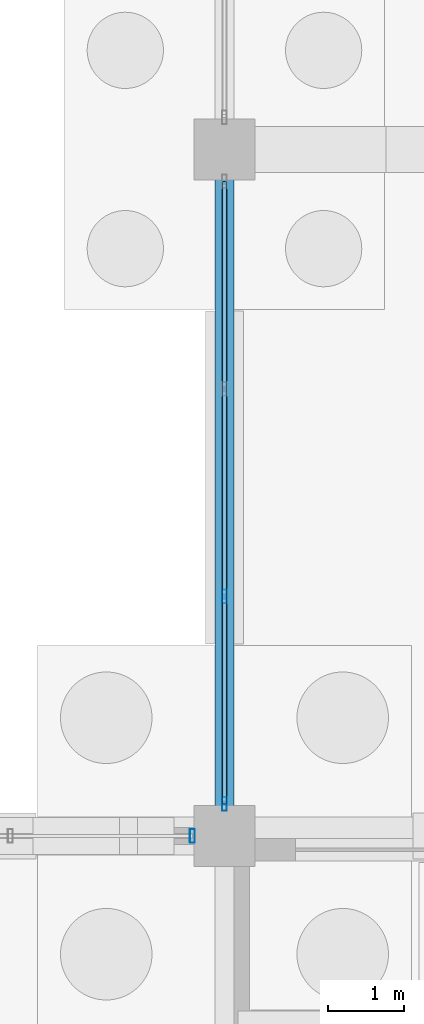
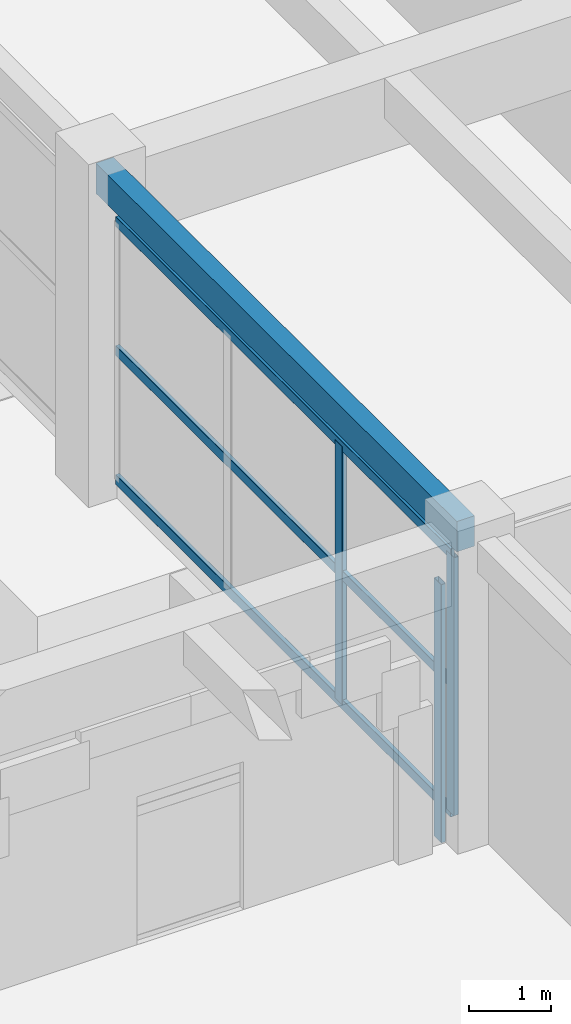
# One storey, part 73 of 147: 6 members, 1 beam, 2 elements without a shape of their own.
"""IFC4 building model written with IfcOpenShell, lengths in metres."""

from ifc_helpers import new_model, si_unit, direction, frame, origin, origin_2d, place, context, subcontext, project, spatial, rectangle, hollow_rectangle, extrude, material, material_profile, profile_set, type_object, element, aggregate, save


model = new_model("IFC4")

# Units and contexts
model_context = context("Model", 3, precision=1e-05, world=origin(), true_north=direction((0.0, 1.0)))
body_context = subcontext(model_context, "Body", "Model", "MODEL_VIEW")
ifc_project = project(units=[si_unit("LENGTHUNIT", "METRE"), si_unit("AREAUNIT", "SQUARE_METRE"), si_unit("VOLUMEUNIT", "CUBIC_METRE"), si_unit("PLANEANGLEUNIT", "RADIAN"), si_unit("MASSUNIT", "GRAM", prefix="KILO")], contexts=[model_context])

# Site, building, storey
site_placement = place(None, origin())
site = spatial("IfcSite", under=ifc_project, at=site_placement, CompositionType="ELEMENT")
building_placement = place(site_placement, origin())
building = spatial("IfcBuilding", under=site, at=building_placement, Name="Varnabhumi Central Station", CompositionType="ELEMENT")
storey_placement = place(building_placement, origin())
storey = spatial("IfcBuildingStorey", under=building, at=storey_placement, Name="L00", CompositionType="ELEMENT", Elevation=0.0)

# Beam
ifc_material_1 = material(Name="Concrete M35", Category="concrete")
ifc_material_profile_1 = material_profile(ifc_material_1, rectangle(XDim=0.25, YDim=0.449951171875, at=origin_2d()), Name="Concrete M35", Category="concrete")
ifc_profile_set_1 = profile_set([ifc_material_profile_1], Name="Concrete M35")
beam_type = type_object("IfcBeamType", Name="BM-RC-250x450", PredefinedType="LINTEL", material=ifc_profile_set_1)
beam_placement = place(storey_placement, frame((144.0, 9.10009765625, 4.324951171875), z_axis=(0.0, 1.0, 0.0), x_axis=(-1.0, 0.0, 0.0)))
element("IfcBeam", 1, at=beam_placement, inside=storey, type_object=beam_type, Name="Beam L00-19:B-C", PredefinedType="LINTEL", context=body_context, shape_type="SweptSolid", body=[
    extrude(rectangle(XDim=0.25, YDim=0.449951171875, at=origin_2d()), origin(), (0.0, 0.0, 1.0), 8.7998046875),
])

# Curtain wall, members
ifc_material_2 = material(Name="Anodised aluminium 6063-T6", Category="aluminium")
curtain_wall_type = type_object("IfcCurtainWallType", Name="CW-PATIO-LOGGIA-L0", PredefinedType="NOTDEFINED", material=ifc_material_2)
curtain_wall_1_placement = place(storey_placement, origin())
curtain_wall_1 = element("IfcCurtainWall", 2, at=curtain_wall_1_placement, inside=storey, type_object=curtain_wall_type, Name="Curtain Wall CW-SP0W1", PredefinedType="NOTDEFINED")
ifc_material_profile_2 = material_profile(ifc_material_2, hollow_rectangle(XDim=0.06494140625, YDim=0.179931640625, WallThickness=0.00390625, InnerFilletRadius=0.001953125, OuterFilletRadius=0.006103515625, at=origin_2d()), Name="Anodised aluminium 6063-T6", Category="aluminium")
ifc_profile_set_2 = profile_set([ifc_material_profile_2], Name="Anodised aluminium 6063-T6")
member_type_1 = type_object("IfcMemberType", Name="CW-MUL-180", PredefinedType="MULLION", material=ifc_profile_set_2)
member_1_placement = place(storey_placement, frame((144.0, 9.419921875, 0.0), z_axis=(0.0, 0.0, 1.0), x_axis=(1.0, 0.0, 0.0)))
member_1 = element("IfcMember", 3, at=member_1_placement, type_object=member_type_1, Name="Curtain Wall Mullion CW-SP0W1-M1", PredefinedType="MULLION", context=body_context, shape_type="SweptSolid", body=[
    extrude(hollow_rectangle(XDim=0.06494140625, YDim=0.179931640625, WallThickness=0.00390625, InnerFilletRadius=0.001953125, OuterFilletRadius=0.006103515625, at=origin_2d()), origin(), (0.0, 0.0, 1.0), 3.840087890625),
])
member_2_placement = place(storey_placement, frame((144.0, 12.139892578125, 0.0), z_axis=(0.0, 0.0, 1.0), x_axis=(1.0, 0.0, 0.0)))
member_2 = element("IfcMember", 4, at=member_2_placement, type_object=member_type_1, Name="Curtain Wall Mullion CW-SP0W1-M2", PredefinedType="MULLION", context=body_context, shape_type="SweptSolid", body=[
    extrude(hollow_rectangle(XDim=0.06494140625, YDim=0.179931640625, WallThickness=0.00390625, InnerFilletRadius=0.001953125, OuterFilletRadius=0.006103515625, at=origin_2d()), origin(), (0.0, 0.0, 1.0), 3.840087890625),
])

# Curtain wall, member
curtain_wall_2_placement = place(storey_placement, origin())
curtain_wall_2 = element("IfcCurtainWall", 5, at=curtain_wall_2_placement, inside=storey, type_object=curtain_wall_type, Name="Curtain Wall CW-SP0S4", PredefinedType="NOTDEFINED")
member_3_placement = place(storey_placement, frame((143.580078125, 9.0, 0.0), z_axis=(0.0, 0.0, 1.0), x_axis=(1.0, 0.0, 0.0)))
member_3 = element("IfcMember", 6, at=member_3_placement, type_object=member_type_1, Name="Curtain Wall Mullion CW-SP0S4-M4", PredefinedType="MULLION", context=body_context, shape_type="SweptSolid", body=[
    extrude(hollow_rectangle(XDim=0.06494140625, YDim=0.179931640625, WallThickness=0.00390625, InnerFilletRadius=0.001953125, OuterFilletRadius=0.006103515625, at=origin_2d()), origin(), (0.0, 0.0, 1.0), 3.840087890625),
])
aggregate(curtain_wall_2, [member_3])

# Member
ifc_material_profile_3 = material_profile(ifc_material_2, hollow_rectangle(XDim=0.06005859375, YDim=0.14990234375, WallThickness=0.00390625, InnerFilletRadius=0.001953125, OuterFilletRadius=0.006103515625, at=origin_2d()), Name="Anodised aluminium 6063-T6", Category="aluminium")
ifc_profile_set_3 = profile_set([ifc_material_profile_3], Name="Anodised aluminium 6063-T6")
member_type_2 = type_object("IfcMemberType", Name="CW-TR-150", PredefinedType="USERDEFINED", material=ifc_profile_set_3)
member_4_placement = place(storey_placement, frame((144.0, 9.419921875, 0.0), z_axis=(0.0, 1.0, 0.0), x_axis=(-1.0, 0.0, 0.0)))
member_4 = element("IfcMember", 7, at=member_4_placement, type_object=member_type_2, Name="Curtain Wall Transom CW-SP0W1-T1", ObjectType="TRANSOM", PredefinedType="USERDEFINED", context=body_context, shape_type="SweptSolid", body=[
    extrude(hollow_rectangle(XDim=0.06005859375, YDim=0.14990234375, WallThickness=0.00390625, InnerFilletRadius=0.001953125, OuterFilletRadius=0.006103515625, at=origin_2d()), origin(), (0.0, 0.0, 1.0), 8.16015625),
])

member_5_placement = place(storey_placement, frame((144.0, 9.419921875, 1.919921875), z_axis=(0.0, 1.0, 0.0), x_axis=(-1.0, 0.0, 0.0)))
member_5 = element("IfcMember", 8, at=member_5_placement, type_object=member_type_2, Name="Curtain Wall Transom CW-SP0W1-T2", ObjectType="TRANSOM", PredefinedType="USERDEFINED", context=body_context, shape_type="SweptSolid", body=[
    extrude(hollow_rectangle(XDim=0.06005859375, YDim=0.14990234375, WallThickness=0.00390625, InnerFilletRadius=0.001953125, OuterFilletRadius=0.006103515625, at=origin_2d()), origin(), (0.0, 0.0, 1.0), 8.16015625),
])

member_6_placement = place(storey_placement, frame((144.0, 9.419921875, 3.840087890625), z_axis=(0.0, 1.0, 0.0), x_axis=(-1.0, 0.0, 0.0)))
member_6 = element("IfcMember", 9, at=member_6_placement, type_object=member_type_2, Name="Curtain Wall Transom CW-SP0W1-T3", ObjectType="TRANSOM", PredefinedType="USERDEFINED", context=body_context, shape_type="SweptSolid", body=[
    extrude(hollow_rectangle(XDim=0.06005859375, YDim=0.14990234375, WallThickness=0.00390625, InnerFilletRadius=0.001953125, OuterFilletRadius=0.006103515625, at=origin_2d()), origin(), (0.0, 0.0, 1.0), 8.16015625),
])

aggregate(curtain_wall_1, [member_1, member_2, member_4, member_5, member_6])

save(model, "model.ifc")
